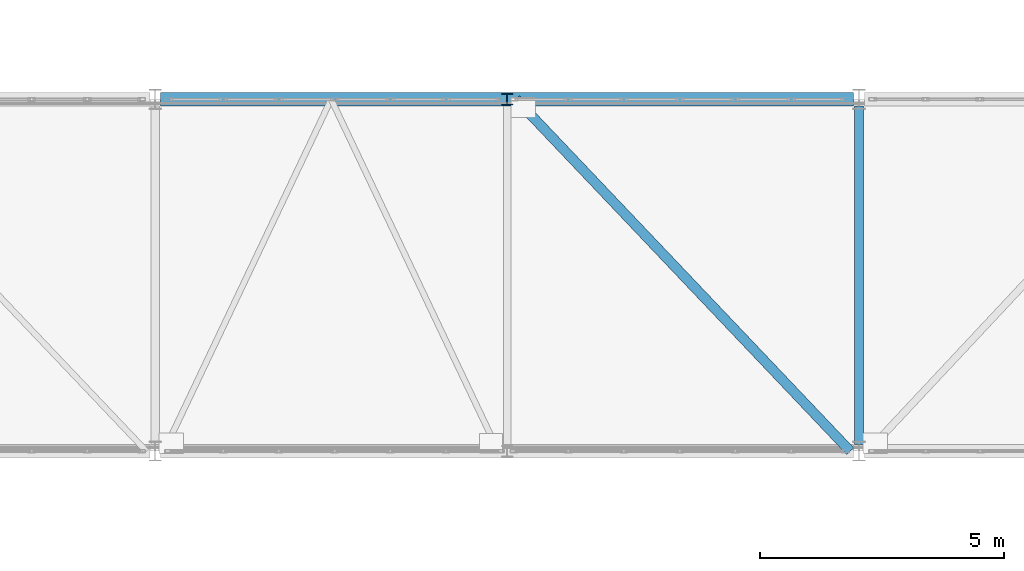
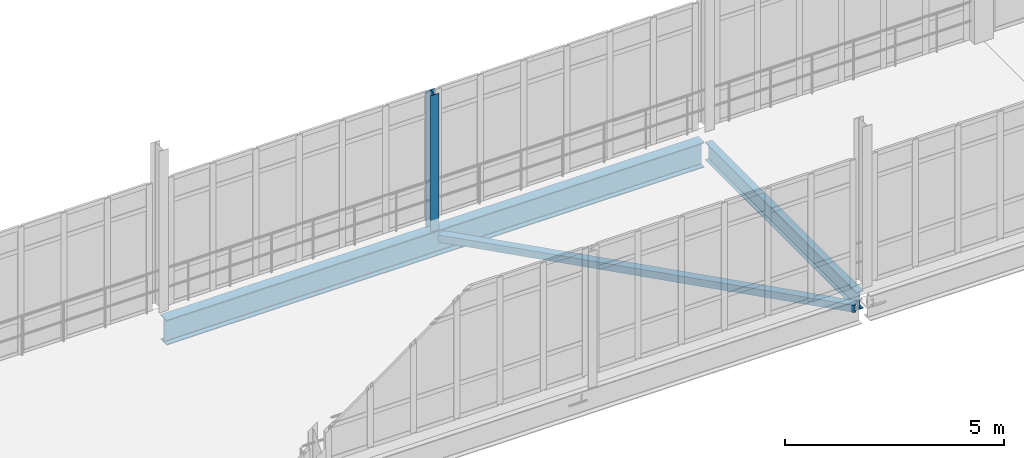
# One storey, part 48 of 116: 2 beams, 2 members.
"""IFC4 building model written with IfcOpenShell, lengths in metres."""

from ifc_helpers import new_model, si_unit, direction, frame, origin, origin_2d, place, context, subcontext, project, spatial, hollow_rectangle, i_section, extrude, material, material_profile, profile_set, type_object, element, save


model = new_model("IFC4")

# Units and contexts
model_context = context("Model", 3, precision=1e-05, world=origin(), true_north=direction((0.0, 1.0)))
body_context = subcontext(model_context, "Body", "Model", "MODEL_VIEW")
ifc_project = project(units=[si_unit("LENGTHUNIT", "METRE"), si_unit("AREAUNIT", "SQUARE_METRE"), si_unit("VOLUMEUNIT", "CUBIC_METRE"), si_unit("PLANEANGLEUNIT", "RADIAN"), si_unit("MASSUNIT", "GRAM", prefix="KILO")], contexts=[model_context])

# Site, building, storey
site_placement = place(None, origin())
site = spatial("IfcSite", under=ifc_project, at=site_placement, CompositionType="ELEMENT")
building_placement = place(site_placement, origin())
building = spatial("IfcBuilding", under=site, at=building_placement, Name="Kalluvel Institute of Natural Sciences", CompositionType="ELEMENT")
storey_placement = place(building_placement, frame((0.0, 0.0, 14.39990234375)))
storey = spatial("IfcBuildingStorey", under=building, at=storey_placement, Name="L03", CompositionType="ELEMENT", Elevation=14.39990234375)

# Beams
ifc_material = material(Name="Steel E350 Grade 350", Category="steel")
ifc_material_profile_1 = material_profile(ifc_material, i_section(OverallWidth=0.179931640625, OverallDepth=0.5, WebThickness=0.01025390625, FlangeThickness=0.01708984375, FilletRadius=0.01708984375, at=origin_2d()), Name="ISMB 500")
ifc_profile_set_1 = profile_set([ifc_material_profile_1], Name="Steel E350 Grade 350")
beam_type_1 = type_object("IfcBeamType", Name="BM-ISMB500", PredefinedType="BEAM", material=ifc_profile_set_1)
beam_1_placement = place(storey_placement, frame((93.199951171875, 28.5400390625, -0.56982421875), z_axis=(0.0, 1.0, 0.0), x_axis=(-1.0, 0.0, 0.0)))
element("IfcBeam", 1, at=beam_1_placement, inside=storey, type_object=beam_type_1, Name="L03 link bridge cross girder 70", PredefinedType="BEAM", context=body_context, shape_type="SweptSolid", body=[
    extrude(i_section(OverallWidth=0.179931640625, OverallDepth=0.5, WebThickness=0.01025390625, FlangeThickness=0.01708984375, FilletRadius=0.01708984375, at=origin_2d()), origin(), (0.0, 0.0, 1.0), 6.919921875),
])
ifc_material_profile_2 = material_profile(ifc_material, i_section(OverallWidth=0.280029296875, OverallDepth=0.699951171875, WebThickness=0.013916015625, FlangeThickness=0.02392578125, FilletRadius=0.01611328125, at=origin_2d()), Name="WPG 700x280")
ifc_profile_set_2 = profile_set([ifc_material_profile_2], Name="Steel E350 Grade 350")
beam_type_2 = type_object("IfcBeamType", Name="BM-WPG700", PredefinedType="BEAM", material=ifc_profile_set_2)
beam_2_placement = place(storey_placement, frame((78.909912109375, 35.60009765625, -0.669921875), z_axis=(1.0, 0.0, 0.0), x_axis=(0.0, 1.0, 0.0)))
element("IfcBeam", 2, at=beam_2_placement, inside=storey, type_object=beam_type_2, Name="L03 link bridge main plate-girder chord 36", PredefinedType="BEAM", context=body_context, shape_type="SweptSolid", body=[
    extrude(i_section(OverallWidth=0.280029296875, OverallDepth=0.699951171875, WebThickness=0.013916015625, FlangeThickness=0.02392578125, FilletRadius=0.01611328125, at=origin_2d()), origin(), (0.0, 0.0, 1.0), 14.18017578125),
])

# Members
ifc_material_profile_3 = material_profile(ifc_material, hollow_rectangle(XDim=0.199951171875, YDim=0.199951171875, WallThickness=0.010009765625, at=origin_2d()), Name="SHS 200x200x10")
ifc_profile_set_3 = profile_set([ifc_material_profile_3], Name="Steel E350 Grade 350")
member_type_1 = type_object("IfcMemberType", Name="MB-BR-SHS200", PredefinedType="BRACE", material=ifc_profile_set_3)
member_1_placement = place(storey_placement, frame((86.179931640625, 35.60009765625, -0.599853515625), z_axis=(0.688744293312, -0.725004343732, 0.0), x_axis=(0.725004343732, 0.688744293312, 0.0)))
element("IfcMember", 3, at=member_1_placement, inside=storey, type_object=member_type_1, Name="L03 link bridge horizontal plan brace L03-08-1", PredefinedType="BRACE", context=body_context, shape_type="SweptSolid", body=[
    extrude(hollow_rectangle(XDim=0.199951171875, YDim=0.199951171875, WallThickness=0.010009765625, at=origin_2d()), origin(), (0.0, 0.0, 1.0), 9.93115234375),
])
ifc_material_profile_4 = material_profile(ifc_material, i_section(OverallWidth=0.22509765625, OverallDepth=0.22509765625, WebThickness=0.008544921875, FlangeThickness=0.009033203125, FilletRadius=0.010009765625, at=origin_2d()), Name="ISHB 225")
ifc_profile_set_4 = profile_set([ifc_material_profile_4], Name="Steel E350 Grade 350")
member_type_2 = type_object("IfcMemberType", Name="MB-ST-ISHB225", PredefinedType="STRUT", material=ifc_profile_set_4)
member_2_placement = place(storey_placement, frame((86.0, 35.60009765625, -0.31982421875), z_axis=(0.0, 0.0, 1.0), x_axis=(1.0, 0.0, 0.0)))
element("IfcMember", 4, at=member_2_placement, inside=storey, type_object=member_type_2, Name="Glazed link bridge truss post 50", PredefinedType="STRUT", context=body_context, shape_type="SweptSolid", body=[
    extrude(i_section(OverallWidth=0.22509765625, OverallDepth=0.22509765625, WebThickness=0.008544921875, FlangeThickness=0.009033203125, FilletRadius=0.010009765625, at=origin_2d()), origin(), (0.0, 0.0, 1.0), 3.7998046875),
])

save(model, "model.ifc")
